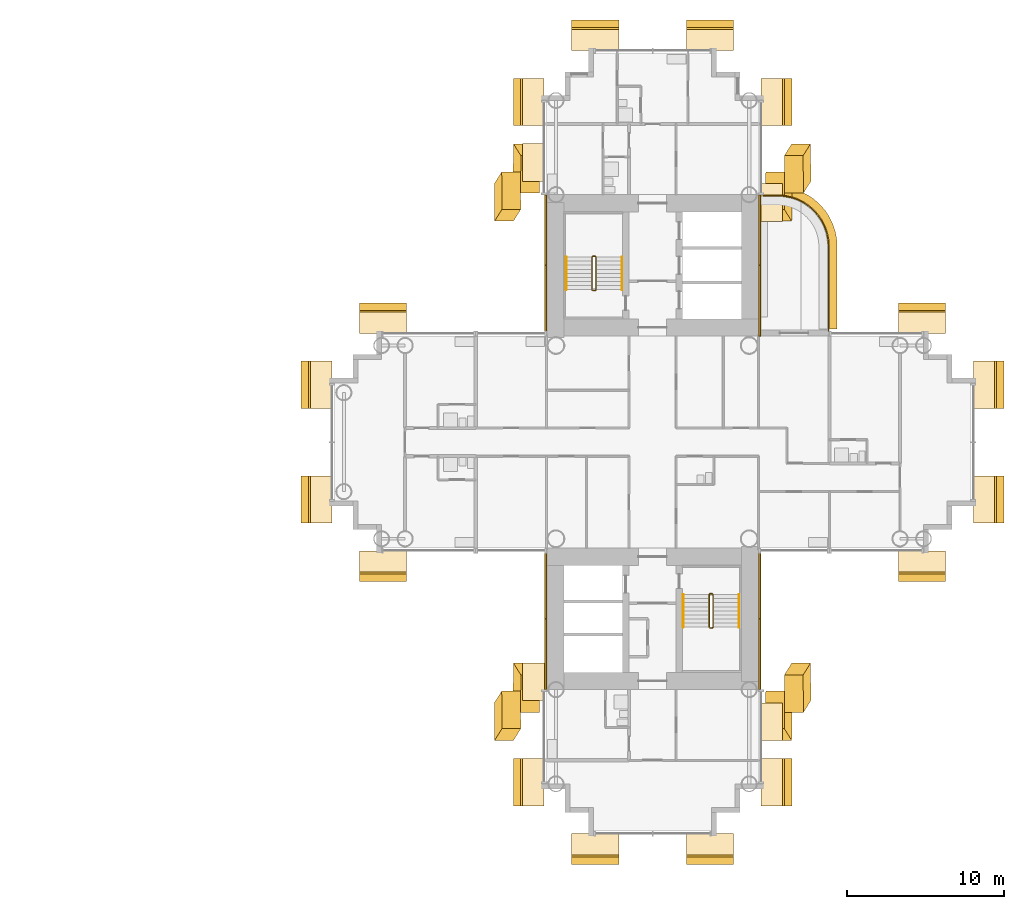
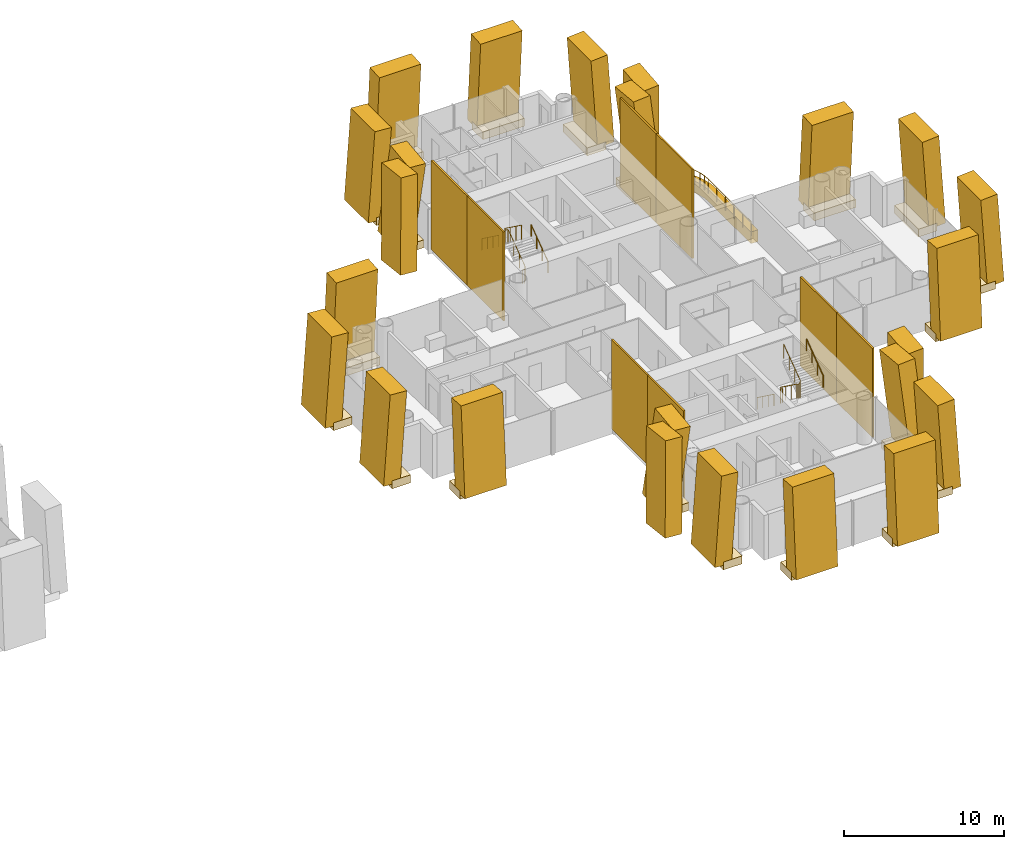
# One storey, part 23 of 24: 53 coverings, 7 railings.
"""IFC4 building model written with IfcOpenShell, lengths in metres."""

from ifc_helpers import new_model, si_unit, direction, frame, origin, origin_2d, place, context, subcontext, project, spatial, polyline, rectangle, circle, outline, extrude, material, layer, layer_set, material_profile, profile_set, type_object, element, save


model = new_model("IFC4")

# Units and contexts
model_context = context("Model", 3, precision=1e-05, world=origin(), true_north=direction((0.0, 1.0)))
body_context = subcontext(model_context, "Body", "Model", "MODEL_VIEW")
ifc_project = project(units=[si_unit("LENGTHUNIT", "METRE"), si_unit("AREAUNIT", "SQUARE_METRE"), si_unit("VOLUMEUNIT", "CUBIC_METRE"), si_unit("PLANEANGLEUNIT", "RADIAN"), si_unit("MASSUNIT", "GRAM", prefix="KILO")], contexts=[model_context])

# Site, building, storey
site_placement = place(None, origin())
site = spatial("IfcSite", under=ifc_project, at=site_placement, CompositionType="ELEMENT")
building_placement = place(site_placement, origin())
building = spatial("IfcBuilding", under=site, at=building_placement, Name="Ipe Terrace Towers", CompositionType="ELEMENT")
storey_placement = place(building_placement, frame((0.0, 0.0, 38.10009765625)))
storey = spatial("IfcBuildingStorey", under=building, at=storey_placement, Name="L09", CompositionType="ELEMENT", Elevation=38.10009765625)

# Railing
ifc_material_1 = material(Name="Stainless steel S316", Category="steel")
railing_type_1 = type_object("IfcRailingType", Name="GUARD 1100", PredefinedType="BALUSTRADE", material=ifc_material_1)
railing_1_placement = place(storey_placement, frame((47.199951171875, 7.070068359375, -0.02001953125)))
element("IfcRailing", 1, at=railing_1_placement, inside=storey, type_object=railing_type_1, Name="guard", PredefinedType="BALUSTRADE", context=body_context, shape_type="SweptSolid", body=[
    extrude(circle(Radius=0.02392578125, at=origin_2d()), frame((0.0, 0.0, 1.076171875), z_axis=(0.0, 1.0, 0.0), x_axis=(-1.0, 0.0, 0.0)), (0.0, 0.0, 1.0), 5.3779296875),
    extrude(circle(Radius=0.02392578125, at=origin_2d()), frame((0.0, 5.3779296875, 1.076171875), z_axis=(-0.065190546171, 0.997872833927, 0.0), x_axis=(-0.997872833927, -0.065190546171, 0.0)), (0.0, 0.0, 1.0), 0.427001953125),
    extrude(circle(Radius=0.02392578125, at=origin_2d()), frame((-0.02783203125, 5.803955078125, 1.076171875), z_axis=(-0.195232649896, 0.980756958892, 0.0), x_axis=(-0.980756958892, -0.195232649896, 0.0)), (0.0, 0.0, 1.0), 0.42529296875),
    extrude(circle(Radius=0.02392578125, at=origin_2d()), frame((-0.11083984375, 6.220947265625, 1.076171875), z_axis=(-0.320184280026, 0.947355280148, 0.0), x_axis=(-0.947355280148, -0.320184280026, 0.0)), (0.0, 0.0, 1.0), 0.425537109375),
    extrude(circle(Radius=0.02392578125, at=origin_2d()), frame((-0.2470703125, 6.6240234375, 1.076171875), z_axis=(-0.444455160923, 0.895801099535, 0.0), x_axis=(-0.895801099535, -0.444455160923, 0.0)), (0.0, 0.0, 1.0), 0.425048828125),
    extrude(circle(Radius=0.02392578125, at=origin_2d()), frame((-0.43603515625, 7.0048828125, 1.076171875), z_axis=(-0.55549616226, 0.83151910003, 0.0), x_axis=(-0.83151910003, -0.55549616226, 0.0)), (0.0, 0.0, 1.0), 0.424560546875),
    extrude(circle(Radius=0.02392578125, at=origin_2d()), frame((-0.671875, 7.35791015625, 1.076171875), z_axis=(-0.658463964434, 0.752612255774, 0.0), x_axis=(-0.752612255774, -0.658463964434, 0.0)), (0.0, 0.0, 1.0), 0.42529296875),
    extrude(circle(Radius=0.02392578125, at=origin_2d()), frame((-0.951904296875, 7.677978515625, 1.076171875), z_axis=(-0.752612255774, 0.658463964434, 0.0), x_axis=(-0.658463964434, -0.752612255774, 0.0)), (0.0, 0.0, 1.0), 0.42529296875),
    extrude(circle(Radius=0.02392578125, at=origin_2d()), frame((-1.27197265625, 7.9580078125, 1.076171875), z_axis=(-0.83151910003, 0.55549616226, 0.0), x_axis=(-0.55549616226, -0.83151910003, 0.0)), (0.0, 0.0, 1.0), 0.424560546875),
    extrude(circle(Radius=0.02392578125, at=origin_2d()), frame((-1.625, 8.19384765625, 1.076171875), z_axis=(-0.895801099535, 0.444455160923, 0.0), x_axis=(-0.444455160923, -0.895801099535, 0.0)), (0.0, 0.0, 1.0), 0.425048828125),
    extrude(circle(Radius=0.02392578125, at=origin_2d()), frame((-2.005859375, 8.3828125, 1.076171875), z_axis=(-0.947355280148, 0.320184280026, 0.0), x_axis=(-0.320184280026, -0.947355280148, 0.0)), (0.0, 0.0, 1.0), 0.425537109375),
    extrude(circle(Radius=0.02392578125, at=origin_2d()), frame((-2.408935546875, 8.51904296875, 1.076171875), z_axis=(-0.980756958892, 0.195232649896, 0.0), x_axis=(-0.195232649896, -0.980756958892, 0.0)), (0.0, 0.0, 1.0), 0.42529296875),
    extrude(circle(Radius=0.02392578125, at=origin_2d()), frame((-2.825927734375, 8.60205078125, 1.076171875), z_axis=(-0.997872833927, 0.065190546171, 0.0), x_axis=(-0.065190546171, -0.997872833927, 0.0)), (0.0, 0.0, 1.0), 0.427001953125),
    extrude(circle(Radius=0.02392578125, at=origin_2d()), frame((-3.251953125, 8.6298828125, 1.076171875), z_axis=(-1.0, 0.0, 0.0), x_axis=(0.0, -1.0, 0.0)), (0.0, 0.0, 1.0), 0.8779296875),
    extrude(circle(Radius=0.02099609375, at=origin_2d()), origin(), (0.0, 0.0, 1.0), 1.052001953125),
    extrude(circle(Radius=0.02099609375, at=origin_2d()), frame((0.0, 1.07568359375, 0.0)), (0.0, 0.0, 1.0), 1.052001953125),
    extrude(circle(Radius=0.02099609375, at=origin_2d()), frame((0.0, 2.151123046875, 0.0)), (0.0, 0.0, 1.0), 1.052001953125),
    extrude(circle(Radius=0.02099609375, at=origin_2d()), frame((0.0, 3.226806640625, 0.0)), (0.0, 0.0, 1.0), 1.052001953125),
    extrude(circle(Radius=0.02099609375, at=origin_2d()), frame((0.0, 4.30224609375, 0.0)), (0.0, 0.0, 1.0), 1.052001953125),
    extrude(circle(Radius=0.02099609375, at=origin_2d()), frame((0.0, 5.3779296875, 0.0)), (0.0, 0.0, 1.0), 1.052001953125),
    extrude(circle(Radius=0.02099609375, at=origin_2d()), frame((-0.02783203125, 5.803955078125, 0.0)), (0.0, 0.0, 1.0), 1.052001953125),
    extrude(circle(Radius=0.02099609375, at=origin_2d()), frame((-0.11083984375, 6.220947265625, 0.0)), (0.0, 0.0, 1.0), 1.052001953125),
    extrude(circle(Radius=0.02099609375, at=origin_2d()), frame((-0.2470703125, 6.6240234375, 0.0)), (0.0, 0.0, 1.0), 1.052001953125),
    extrude(circle(Radius=0.02099609375, at=origin_2d()), frame((-0.43603515625, 7.0048828125, 0.0)), (0.0, 0.0, 1.0), 1.052001953125),
    extrude(circle(Radius=0.02099609375, at=origin_2d()), frame((-0.671875, 7.35791015625, 0.0)), (0.0, 0.0, 1.0), 1.052001953125),
    extrude(circle(Radius=0.02099609375, at=origin_2d()), frame((-0.951904296875, 7.677978515625, 0.0)), (0.0, 0.0, 1.0), 1.052001953125),
    extrude(circle(Radius=0.02099609375, at=origin_2d()), frame((-1.27197265625, 7.9580078125, 0.0)), (0.0, 0.0, 1.0), 1.052001953125),
    extrude(circle(Radius=0.02099609375, at=origin_2d()), frame((-1.625, 8.19384765625, 0.0)), (0.0, 0.0, 1.0), 1.052001953125),
    extrude(circle(Radius=0.02099609375, at=origin_2d()), frame((-2.005859375, 8.3828125, 0.0)), (0.0, 0.0, 1.0), 1.052001953125),
    extrude(circle(Radius=0.02099609375, at=origin_2d()), frame((-2.408935546875, 8.51904296875, 0.0)), (0.0, 0.0, 1.0), 1.052001953125),
    extrude(circle(Radius=0.02099609375, at=origin_2d()), frame((-2.825927734375, 8.60205078125, 0.0)), (0.0, 0.0, 1.0), 1.052001953125),
    extrude(circle(Radius=0.02099609375, at=origin_2d()), frame((-3.251953125, 8.6298828125, 0.0)), (0.0, 0.0, 1.0), 1.052001953125),
    extrude(circle(Radius=0.02099609375, at=origin_2d()), frame((-4.1298828125, 8.6298828125, 0.0)), (0.0, 0.0, 1.0), 1.052001953125),
])

# Coverings
ifc_material_2 = material(Name="Concrete C50/60 precast, buff finish", Category="concrete")
ifc_layer_1 = layer(ifc_material_2, 0.1201171875)
ifc_layer_set_1 = layer_set([ifc_layer_1], Name="STONE CORE CLADDING 120")
covering_type_1 = type_object("IfcCoveringType", Name="STONE CORE CLADDING 120", PredefinedType="CLADDING", material=ifc_layer_set_1)
covering_1_placement = place(storey_placement, frame((29.18994140625, -13.5, 0.0), z_axis=(0.0, 0.0, 1.0), x_axis=(0.0, -1.0, 0.0)))
element("IfcCovering", 2, at=covering_1_placement, inside=storey, type_object=covering_type_1, Name="stone core cladding", PredefinedType="CLADDING", context=body_context, shape_type="SweptSolid", body=[
    extrude(rectangle(XDim=4.5009765625, YDim=0.1201171875, at=origin_2d()), origin(), (0.0, 0.0, 1.0), 6.800048828125),
])
for number, where, z_axis, x_axis, name in (
    (3, (29.18994140625, -9.0, 0.0), (0.0, 0.0, 1.0), (0.0, -1.0, 0.0), "stone core cladding"),
    (4, (29.18994140625, 9.0, 0.0), (0.0, 0.0, 1.0), (0.0, -1.0, 0.0), "stone core cladding"),
):
    element("IfcCovering", number, at=place(storey_placement, frame(where, z_axis=z_axis, x_axis=x_axis)), inside=storey, type_object=covering_type_1, Name=name, PredefinedType="CLADDING", context=body_context, shape_type="SweptSolid", body=[
        extrude(rectangle(XDim=4.5, YDim=0.1201171875, at=origin_2d()), origin(), (0.0, 0.0, 1.0), 6.800048828125),
    ])
for number, where, z_axis, x_axis, name in (
    (5, (29.18994140625, 13.5, 0.0), (0.0, 0.0, 1.0), (0.0, -1.0, 0.0), "stone core cladding"),
    (6, (42.81005859375, -13.5, 0.0), (0.0, 0.0, 1.0), (0.0, 1.0, 0.0), "stone core cladding"),
):
    element("IfcCovering", number, at=place(storey_placement, frame(where, z_axis=z_axis, x_axis=x_axis)), inside=storey, type_object=covering_type_1, Name=name, PredefinedType="CLADDING", context=body_context, shape_type="SweptSolid", body=[
        extrude(rectangle(XDim=4.5009765625, YDim=0.1201171875, at=origin_2d()), origin(), (0.0, 0.0, 1.0), 6.800048828125),
    ])
for number, where, z_axis, x_axis, name in (
    (7, (42.81005859375, -9.0, 0.0), (0.0, 0.0, 1.0), (0.0, 1.0, 0.0), "stone core cladding"),
    (8, (42.81005859375, 9.0, 0.0), (0.0, 0.0, 1.0), (0.0, 1.0, 0.0), "stone core cladding"),
):
    element("IfcCovering", number, at=place(storey_placement, frame(where, z_axis=z_axis, x_axis=x_axis)), inside=storey, type_object=covering_type_1, Name=name, PredefinedType="CLADDING", context=body_context, shape_type="SweptSolid", body=[
        extrude(rectangle(XDim=4.5, YDim=0.1201171875, at=origin_2d()), origin(), (0.0, 0.0, 1.0), 6.800048828125),
    ])
covering_2_placement = place(storey_placement, frame((42.81005859375, 13.5, 0.0), z_axis=(0.0, 0.0, 1.0), x_axis=(0.0, 1.0, 0.0)))
element("IfcCovering", 9, at=covering_2_placement, inside=storey, type_object=covering_type_1, Name="stone core cladding", PredefinedType="CLADDING", context=body_context, shape_type="SweptSolid", body=[
    extrude(rectangle(XDim=4.5009765625, YDim=0.1201171875, at=origin_2d()), origin(), (0.0, 0.0, 1.0), 6.800048828125),
])
ifc_material_3 = material(Name="Concrete C50/60 precast, buff finish", Category="concrete")
ifc_layer_2 = layer(ifc_material_3, 0.5)
ifc_layer_set_2 = layer_set([ifc_layer_2], Name="STONE EDGE BAND 500 x 900")
covering_type_2 = type_object("IfcCoveringType", Name="STONE EDGE BAND 500 x 900", PredefinedType="CLADDING", material=ifc_layer_set_2)
covering_3_placement = place(storey_placement, frame((0.0, 0.0, -0.72021484375)))
element("IfcCovering", 10, at=covering_3_placement, inside=storey, type_object=covering_type_2, Name="stone edge band", PredefinedType="CLADDING", context=body_context, shape_type="SweptSolid", body=[
    extrude(outline(polyline([(47.75, 12.449951171875), (47.7490234375, 12.48291015625), (47.720947265625, 12.9130859375), (47.7119140625, 12.97802734375), (47.6279296875, 13.402099609375), (47.611083984375, 13.465087890625), (47.471923828125, 13.8740234375), (47.447021484375, 13.93408203125), (47.256103515625, 14.321044921875), (47.22412109375, 14.3779296875), (46.98388671875, 14.737060546875), (46.944091796875, 14.7890625), (46.658935546875, 15.113037109375), (46.613037109375, 15.158935546875), (46.2890625, 15.444091796875), (46.237060546875, 15.48388671875), (45.8779296875, 15.72412109375), (45.821044921875, 15.756103515625), (45.43408203125, 15.947021484375), (45.3740234375, 15.971923828125), (44.965087890625, 16.111083984375), (44.902099609375, 16.1279296875), (44.47802734375, 16.2119140625), (44.4130859375, 16.220947265625), (43.98291015625, 16.2490234375), (43.949951171875, 16.25), (43.199951171875, 16.25), (43.199951171875, 15.75), (43.949951171875, 15.75), (44.381103515625, 15.721923828125), (44.803955078125, 15.637939453125), (45.212890625, 15.4990234375), (45.60009765625, 15.30810546875), (45.958984375, 15.068115234375), (46.282958984375, 14.782958984375), (46.568115234375, 14.458984375), (46.80810546875, 14.10009765625), (46.9990234375, 13.712890625), (47.137939453125, 13.303955078125), (47.221923828125, 12.881103515625), (47.25, 12.449951171875), (47.25, 7.199951171875), (47.75, 7.199951171875), (47.75, 12.449951171875)])), origin(), (0.0, 0.0, 1.0), 0.900146484375),
])
ifc_material_4 = material(Name="Concrete C50/60 precast, buff finish", Category="concrete")
ifc_material_profile_1 = material_profile(ifc_material_4, rectangle(XDim=2.39990234375, YDim=1.199951171875, at=origin_2d()), Name="STONE FIN 2400 x 1200")
ifc_profile_set_1 = profile_set([ifc_material_profile_1], Name="Concrete C50/60 precast, buff finish")
covering_type_3 = type_object("IfcCoveringType", Name="STONE FIN 2400 x 1200", PredefinedType="USERDEFINED", material=ifc_profile_set_1)
for number, where, z_axis, x_axis, name in (
    (11, (27.73193359375, -15.2529296875, 0.0), (0.069272330104, -0.110529591456, 0.991455774956), (-0.007703845088, -0.993872833622, -0.110260787945), "stone fin"),
    (12, (26.531982421875, -17.797119140625, 0.0), (0.069272330104, 0.110529591456, 0.991455774956), (0.007703845088, -0.993872833622, 0.110260787945), "stone fin"),
    (13, (26.531982421875, 15.2529296875, 0.0), (0.069272330104, 0.110529591456, 0.991455774956), (0.007703845088, -0.993872833622, 0.110260787945), "stone fin"),
    (14, (27.73193359375, 17.797119140625, 0.0), (0.069272330104, -0.110529591456, 0.991455774956), (-0.007703845088, -0.993872833622, -0.110260787945), "stone fin"),
    (15, (45.468017578125, -15.2529296875, 0.0), (-0.069272330104, -0.110529591456, 0.991455774956), (-0.007703845088, 0.993872833622, 0.110260787945), "stone fin"),
    (16, (44.26806640625, -17.797119140625, 0.0), (-0.069272330104, 0.110529591456, 0.991455774956), (0.007703845088, 0.993872833622, -0.110260787945), "stone fin"),
    (17, (44.26806640625, 15.2529296875, 0.0), (-0.069272330104, 0.110529591456, 0.991455774956), (0.007703845088, 0.993872833622, -0.110260787945), "stone fin"),
    (18, (45.468017578125, 17.797119140625, 0.0), (-0.069272330104, -0.110529591456, 0.991455774956), (-0.007703845088, 0.993872833622, 0.110260787945), "stone fin"),
):
    element("IfcCovering", number, at=place(storey_placement, frame(where, z_axis=z_axis, x_axis=x_axis)), inside=storey, type_object=covering_type_3, Name=name, ObjectType="FIN", PredefinedType="USERDEFINED", context=body_context, shape_type="SweptSolid", body=[
        extrude(rectangle(XDim=2.39990234375, YDim=1.199951171875, at=origin_2d()), origin(), (0.0, 0.0, 1.0), 6.8583984375),
    ])
ifc_material_5 = material(Name="Concrete C50/60 precast, buff finish", Category="concrete")
ifc_material_profile_2 = material_profile(ifc_material_5, rectangle(XDim=3.0, YDim=1.199951171875, at=origin_2d()), Name="STONE FIN CORNER 3000 x 1200")
ifc_profile_set_2 = profile_set([ifc_material_profile_2], Name="Concrete C50/60 precast, buff finish")
covering_type_4 = type_object("IfcCoveringType", Name="STONE FIN CORNER 3000 x 1200", PredefinedType="USERDEFINED", material=ifc_profile_set_2)
for number, where, z_axis, x_axis, name in (
    (19, (14.23193359375, -3.64990234375, 0.0), (0.069699389862, 0.0, 0.997568040312), (0.0, -1.0, 0.0), "stone fin"),
    (20, (14.23193359375, 3.64990234375, 0.0), (0.069699389862, 0.0, 0.997568040312), (0.0, -1.0, 0.0), "stone fin"),
    (21, (18.85009765625, -8.26806640625, 0.0), (0.0, 0.069699389862, 0.997568040312), (1.0, 0.0, 0.0), "stone fin"),
    (22, (18.85009765625, 8.26806640625, 0.0), (0.0, -0.069699389862, 0.997568040312), (-1.0, 0.0, 0.0), "stone fin"),
    (23, (27.73193359375, -21.64990234375, 0.0), (0.069699389862, 0.0, 0.997568040312), (0.0, -1.0, 0.0), "stone fin"),
    (24, (27.73193359375, 21.64990234375, 0.0), (0.069699389862, 0.0, 0.997568040312), (0.0, -1.0, 0.0), "stone fin"),
    (25, (32.35009765625, -26.26806640625, 0.0), (0.0, 0.069699389862, 0.997568040312), (1.0, 0.0, 0.0), "stone fin"),
    (26, (32.35009765625, 26.26806640625, 0.0), (0.0, -0.069699389862, 0.997568040312), (-1.0, 0.0, 0.0), "stone fin"),
    (27, (39.64990234375, -26.26806640625, 0.0), (0.0, 0.069699389862, 0.997568040312), (1.0, 0.0, 0.0), "stone fin"),
    (28, (39.64990234375, 26.26806640625, 0.0), (0.0, -0.069699389862, 0.997568040312), (-1.0, 0.0, 0.0), "stone fin"),
    (29, (44.26806640625, -21.64990234375, 0.0), (-0.069699389862, 0.0, 0.997568040312), (0.0, 1.0, 0.0), "stone fin"),
    (30, (44.26806640625, 21.64990234375, 0.0), (-0.069699389862, 0.0, 0.997568040312), (0.0, 1.0, 0.0), "stone fin"),
    (31, (53.14990234375, -8.26806640625, 0.0), (0.0, 0.069699389862, 0.997568040312), (1.0, 0.0, 0.0), "stone fin"),
    (32, (53.14990234375, 8.26806640625, 0.0), (0.0, -0.069699389862, 0.997568040312), (-1.0, 0.0, 0.0), "stone fin"),
    (33, (57.76806640625, -3.64990234375, 0.0), (-0.069699389862, 0.0, 0.997568040312), (0.0, 1.0, 0.0), "stone fin"),
    (34, (57.76806640625, 3.64990234375, 0.0), (-0.069699389862, 0.0, 0.997568040312), (0.0, 1.0, 0.0), "stone fin"),
):
    element("IfcCovering", number, at=place(storey_placement, frame(where, z_axis=z_axis, x_axis=x_axis)), inside=storey, type_object=covering_type_4, Name=name, ObjectType="FIN", PredefinedType="USERDEFINED", context=body_context, shape_type="SweptSolid", body=[
        extrude(rectangle(XDim=3.0, YDim=1.199951171875, at=origin_2d()), origin(), (0.0, 0.0, 1.0), 6.81640625),
    ])
ifc_material_6 = material(Name="Concrete C50/60 precast, buff finish", Category="concrete")
covering_type_5 = type_object("IfcCoveringType", Name="STONE FIN SHELF 2400 x 600", PredefinedType="CLADDING", material=ifc_material_6)
covering_4_placement = place(storey_placement, frame((28.43603515625, -15.2529296875, -0.35009765625), z_axis=(0.0, 0.0, 1.0), x_axis=(0.0, -1.0, 0.0)))
element("IfcCovering", 35, at=covering_4_placement, inside=storey, type_object=covering_type_5, Name="stone fin shelf", PredefinedType="CLADDING", context=body_context, shape_type="SweptSolid", body=[
    extrude(rectangle(XDim=2.39990234375, YDim=1.407958984375, at=origin_2d()), origin(), (0.0, 0.0, 1.0), 0.60009765625),
])
for number, where, z_axis, x_axis, name in (
    (36, (28.407958984375, 17.797119140625, -0.35009765625), (0.0, 0.0, 1.0), (0.0, -1.0, 0.0), "stone fin shelf"),
    (37, (43.592041015625, -17.797119140625, -0.35009765625), (0.0, 0.0, 1.0), (0.0, 1.0, 0.0), "stone fin shelf"),
):
    element("IfcCovering", number, at=place(storey_placement, frame(where, z_axis=z_axis, x_axis=x_axis)), inside=storey, type_object=covering_type_5, Name=name, PredefinedType="CLADDING", context=body_context, shape_type="SweptSolid", body=[
        extrude(rectangle(XDim=2.39990234375, YDim=1.35205078125, at=origin_2d()), origin(), (0.0, 0.0, 1.0), 0.60009765625),
    ])
covering_5_placement = place(storey_placement, frame((43.56396484375, 15.2529296875, -0.35009765625), z_axis=(0.0, 0.0, 1.0), x_axis=(0.0, 1.0, 0.0)))
element("IfcCovering", 38, at=covering_5_placement, inside=storey, type_object=covering_type_5, Name="stone fin shelf", PredefinedType="CLADDING", context=body_context, shape_type="SweptSolid", body=[
    extrude(rectangle(XDim=2.39990234375, YDim=1.407958984375, at=origin_2d()), origin(), (0.0, 0.0, 1.0), 0.60009765625),
])
ifc_material_7 = material(Name="Concrete C50/60 precast, buff finish", Category="concrete")
covering_type_6 = type_object("IfcCoveringType", Name="STONE FIN SHELF 3000 x 600", PredefinedType="CLADDING", material=ifc_material_7)
for number, where, z_axis, x_axis, name in (
    (39, (14.907958984375, -3.64990234375, -0.35009765625), (0.0, 0.0, 1.0), (0.0, -1.0, 0.0), "stone fin shelf"),
    (40, (14.907958984375, 3.64990234375, -0.35009765625), (0.0, 0.0, 1.0), (0.0, -1.0, 0.0), "stone fin shelf"),
    (41, (18.85009765625, -7.592041015625, -0.35009765625), (0.0, 0.0, 1.0), (1.0, 0.0, 0.0), "stone fin shelf"),
    (42, (18.85009765625, 7.592041015625, -0.35009765625), (0.0, 0.0, 1.0), (-1.0, 0.0, 0.0), "stone fin shelf"),
    (43, (28.407958984375, -21.64990234375, -0.35009765625), (0.0, 0.0, 1.0), (0.0, -1.0, 0.0), "stone fin shelf"),
    (44, (28.407958984375, 21.64990234375, -0.35009765625), (0.0, 0.0, 1.0), (0.0, -1.0, 0.0), "stone fin shelf"),
    (45, (32.35009765625, -25.592041015625, -0.35009765625), (0.0, 0.0, 1.0), (1.0, 0.0, 0.0), "stone fin shelf"),
    (46, (32.35009765625, 25.592041015625, -0.35009765625), (0.0, 0.0, 1.0), (-1.0, 0.0, 0.0), "stone fin shelf"),
    (47, (39.64990234375, -25.592041015625, -0.35009765625), (0.0, 0.0, 1.0), (1.0, 0.0, 0.0), "stone fin shelf"),
    (48, (39.64990234375, 25.592041015625, -0.35009765625), (0.0, 0.0, 1.0), (-1.0, 0.0, 0.0), "stone fin shelf"),
    (49, (43.592041015625, -21.64990234375, -0.35009765625), (0.0, 0.0, 1.0), (0.0, 1.0, 0.0), "stone fin shelf"),
    (50, (43.592041015625, 21.64990234375, -0.35009765625), (0.0, 0.0, 1.0), (0.0, 1.0, 0.0), "stone fin shelf"),
    (51, (53.14990234375, -7.592041015625, -0.35009765625), (0.0, 0.0, 1.0), (1.0, 0.0, 0.0), "stone fin shelf"),
    (52, (53.14990234375, 7.592041015625, -0.35009765625), (0.0, 0.0, 1.0), (-1.0, 0.0, 0.0), "stone fin shelf"),
    (53, (57.092041015625, -3.64990234375, -0.35009765625), (0.0, 0.0, 1.0), (0.0, 1.0, 0.0), "stone fin shelf"),
    (54, (57.092041015625, 3.64990234375, -0.35009765625), (0.0, 0.0, 1.0), (0.0, 1.0, 0.0), "stone fin shelf"),
):
    element("IfcCovering", number, at=place(storey_placement, frame(where, z_axis=z_axis, x_axis=x_axis)), inside=storey, type_object=covering_type_6, Name=name, PredefinedType="CLADDING", context=body_context, shape_type="SweptSolid", body=[
        extrude(rectangle(XDim=3.0, YDim=1.35205078125, at=origin_2d()), origin(), (0.0, 0.0, 1.0), 0.60009765625),
    ])

# Railings
ifc_material_8 = material(Name="Steel S355", Category="steel")
railing_type_2 = type_object("IfcRailingType", Name="Stair guard 1100", PredefinedType="GUARDRAIL", material=ifc_material_8)
railing_2_placement = place(storey_placement, frame((32.199951171875, 9.64990234375, 0.0)))
element("IfcRailing", 55, at=railing_2_placement, inside=storey, type_object=railing_type_2, Name="L09 T2-ST1 stair guard 1", PredefinedType="GUARDRAIL", context=body_context, shape_type="SweptSolid", body=[
    extrude(circle(Radius=0.02392578125, at=origin_2d()), frame((0.0, 0.0, 1.076171875), z_axis=(1.0, 0.0, 0.0), x_axis=(0.0, 1.0, 0.0)), (0.0, 0.0, 1.0), 0.150146484375),
    extrude(circle(Radius=0.02392578125, at=origin_2d()), frame((0.150146484375, 0.0, 1.076171875), z_axis=(0.247173786771, 0.248385422981, 0.936594790069), x_axis=(-0.708833529934, 0.705375805398, 0.0)), (0.0, 0.0, 1.0), 0.201416015625),
    extrude(circle(Radius=0.02392578125, at=origin_2d()), frame((0.199951171875, 0.050048828125, 1.2646484375), z_axis=(0.0, 0.809023421508, 0.587776406001), x_axis=(-1.0, 0.0, 0.0)), (0.0, 0.0, 1.0), 2.571044921875),
    extrude(circle(Radius=0.02392578125, at=origin_2d()), frame((0.199951171875, 2.130126953125, 2.77587890625), z_axis=(-0.705375805398, 0.708833529934, 0.0), x_axis=(-0.708833529934, -0.705375805398, 0.0)), (0.0, 0.0, 1.0), 0.070556640625),
    extrude(circle(Radius=0.02392578125, at=origin_2d()), frame((0.150146484375, 2.18017578125, 2.77587890625), z_axis=(-1.0, 0.0, 0.0), x_axis=(0.0, -1.0, 0.0)), (0.0, 0.0, 1.0), 0.150146484375),
    extrude(circle(Radius=0.02392578125, at=origin_2d()), frame((0.0, 2.18017578125, 2.77587890625), z_axis=(-0.248310886586, -0.248310886586, 0.936313733321), x_axis=(0.707106781187, -0.707106781187, 0.0)), (0.0, 0.0, 1.0), 0.20166015625),
    extrude(circle(Radius=0.02392578125, at=origin_2d()), frame((-0.050048828125, 2.130126953125, 2.96484375), z_axis=(0.0, -0.809023421508, 0.587776406001), x_axis=(1.0, 0.0, 0.0)), (0.0, 0.0, 1.0), 2.571044921875),
    extrude(circle(Radius=0.02099609375, at=origin_2d()), origin(), (0.0, 0.0, 1.0), 1.052001953125),
    extrude(circle(Radius=0.02099609375, at=origin_2d()), frame((0.150146484375, 0.0, 0.0)), (0.0, 0.0, 1.0), 1.052001953125),
    extrude(circle(Radius=0.02099609375, at=origin_2d()), frame((0.199951171875, 0.050048828125, 0.188720703125)), (0.0, 0.0, 1.0), 1.052001953125),
    extrude(circle(Radius=0.02099609375, at=origin_2d()), frame((0.199951171875, 0.743408203125, 0.6923828125)), (0.0, 0.0, 1.0), 1.052001953125),
    extrude(circle(Radius=0.02099609375, at=origin_2d()), frame((0.199951171875, 1.436767578125, 1.1962890625)), (0.0, 0.0, 1.0), 1.052001953125),
    extrude(circle(Radius=0.02099609375, at=origin_2d()), frame((0.199951171875, 2.130126953125, 1.699951171875)), (0.0, 0.0, 1.0), 1.052001953125),
    extrude(circle(Radius=0.02099609375, at=origin_2d()), frame((0.150146484375, 2.18017578125, 1.699951171875)), (0.0, 0.0, 1.0), 1.052001953125),
    extrude(circle(Radius=0.02099609375, at=origin_2d()), frame((0.0, 2.18017578125, 1.699951171875)), (0.0, 0.0, 1.0), 1.052001953125),
    extrude(circle(Radius=0.02099609375, at=origin_2d()), frame((-0.050048828125, 2.130126953125, 1.888671875)), (0.0, 0.0, 1.0), 1.052001953125),
    extrude(circle(Radius=0.02099609375, at=origin_2d()), frame((-0.050048828125, 1.436767578125, 2.392333984375)), (0.0, 0.0, 1.0), 1.052001953125),
    extrude(circle(Radius=0.02099609375, at=origin_2d()), frame((-0.050048828125, 0.743408203125, 2.896240234375)), (0.0, 0.0, 1.0), 1.052001953125),
    extrude(circle(Radius=0.02099609375, at=origin_2d()), frame((-0.050048828125, 0.050048828125, 3.39990234375)), (0.0, 0.0, 1.0), 1.052001953125),
])
railing_3_placement = place(storey_placement, frame((39.800048828125, -9.64990234375, 0.0)))
element("IfcRailing", 56, at=railing_3_placement, inside=storey, type_object=railing_type_2, Name="L09 T2-ST2 stair guard 1", PredefinedType="GUARDRAIL", context=body_context, shape_type="SweptSolid", body=[
    extrude(circle(Radius=0.02392578125, at=origin_2d()), frame((0.0, 0.0, 1.076171875), z_axis=(-1.0, 0.0, 0.0), x_axis=(0.0, -1.0, 0.0)), (0.0, 0.0, 1.0), 0.150146484375),
    extrude(circle(Radius=0.02392578125, at=origin_2d()), frame((-0.150146484375, 0.0, 1.076171875), z_axis=(-0.247173786771, -0.248385422981, 0.936594790069), x_axis=(0.708833529934, -0.705375805398, 0.0)), (0.0, 0.0, 1.0), 0.201416015625),
    extrude(circle(Radius=0.02392578125, at=origin_2d()), frame((-0.199951171875, -0.050048828125, 1.2646484375), z_axis=(0.0, -0.809023421508, 0.587776406001), x_axis=(1.0, 0.0, 0.0)), (0.0, 0.0, 1.0), 2.571044921875),
    extrude(circle(Radius=0.02392578125, at=origin_2d()), frame((-0.199951171875, -2.130126953125, 2.77587890625), z_axis=(0.705375805398, -0.708833529934, 0.0), x_axis=(0.708833529934, 0.705375805398, 0.0)), (0.0, 0.0, 1.0), 0.070556640625),
    extrude(circle(Radius=0.02392578125, at=origin_2d()), frame((-0.150146484375, -2.18017578125, 2.77587890625), z_axis=(1.0, 0.0, 0.0), x_axis=(0.0, 1.0, 0.0)), (0.0, 0.0, 1.0), 0.150146484375),
    extrude(circle(Radius=0.02392578125, at=origin_2d()), frame((0.0, -2.18017578125, 2.77587890625), z_axis=(0.248310886586, 0.248310886586, 0.936313733321), x_axis=(-0.707106781187, 0.707106781187, 0.0)), (0.0, 0.0, 1.0), 0.20166015625),
    extrude(circle(Radius=0.02392578125, at=origin_2d()), frame((0.050048828125, -2.130126953125, 2.96484375), z_axis=(0.0, 0.809023421508, 0.587776406001), x_axis=(-1.0, 0.0, 0.0)), (0.0, 0.0, 1.0), 2.571044921875),
    extrude(circle(Radius=0.02099609375, at=origin_2d()), origin(), (0.0, 0.0, 1.0), 1.052001953125),
    extrude(circle(Radius=0.02099609375, at=origin_2d()), frame((-0.150146484375, 0.0, 0.0)), (0.0, 0.0, 1.0), 1.052001953125),
    extrude(circle(Radius=0.02099609375, at=origin_2d()), frame((-0.199951171875, -0.050048828125, 0.188720703125)), (0.0, 0.0, 1.0), 1.052001953125),
    extrude(circle(Radius=0.02099609375, at=origin_2d()), frame((-0.199951171875, -0.743408203125, 0.6923828125)), (0.0, 0.0, 1.0), 1.052001953125),
    extrude(circle(Radius=0.02099609375, at=origin_2d()), frame((-0.199951171875, -1.436767578125, 1.1962890625)), (0.0, 0.0, 1.0), 1.052001953125),
    extrude(circle(Radius=0.02099609375, at=origin_2d()), frame((-0.199951171875, -2.130126953125, 1.699951171875)), (0.0, 0.0, 1.0), 1.052001953125),
    extrude(circle(Radius=0.02099609375, at=origin_2d()), frame((-0.150146484375, -2.18017578125, 1.699951171875)), (0.0, 0.0, 1.0), 1.052001953125),
    extrude(circle(Radius=0.02099609375, at=origin_2d()), frame((0.0, -2.18017578125, 1.699951171875)), (0.0, 0.0, 1.0), 1.052001953125),
    extrude(circle(Radius=0.02099609375, at=origin_2d()), frame((0.050048828125, -2.130126953125, 1.888671875)), (0.0, 0.0, 1.0), 1.052001953125),
    extrude(circle(Radius=0.02099609375, at=origin_2d()), frame((0.050048828125, -1.436767578125, 2.392333984375)), (0.0, 0.0, 1.0), 1.052001953125),
    extrude(circle(Radius=0.02099609375, at=origin_2d()), frame((0.050048828125, -0.743408203125, 2.896240234375)), (0.0, 0.0, 1.0), 1.052001953125),
    extrude(circle(Radius=0.02099609375, at=origin_2d()), frame((0.050048828125, -0.050048828125, 3.39990234375)), (0.0, 0.0, 1.0), 1.052001953125),
])
ifc_material_9 = material(Name="Stainless steel grade 304", Category="steel")
railing_type_3 = type_object("IfcRailingType", Name="Stair handrail 900", PredefinedType="HANDRAIL", material=ifc_material_9)
railing_4_placement = place(storey_placement, frame((34.050048828125, 9.699951171875, 0.188720703125)))
element("IfcRailing", 57, at=railing_4_placement, inside=storey, type_object=railing_type_3, Name="L09 T2-ST1 stair handrail 1", PredefinedType="HANDRAIL", context=body_context, shape_type="SweptSolid", body=[
    extrude(circle(Radius=0.02392578125, at=origin_2d()), frame((0.0, 0.0, 0.8759765625), z_axis=(0.0, 0.809023421508, 0.587776406001), x_axis=(-1.0, 0.0, 0.0)), (0.0, 0.0, 1.0), 2.571044921875),
    extrude(circle(Radius=0.02099609375, at=origin_2d()), origin(), (0.0, 0.0, 1.0), 0.851806640625),
    extrude(circle(Radius=0.02099609375, at=origin_2d()), frame((0.0, 0.693359375, 0.503662109375)), (0.0, 0.0, 1.0), 0.851806640625),
    extrude(circle(Radius=0.02099609375, at=origin_2d()), frame((0.0, 1.38671875, 1.007568359375)), (0.0, 0.0, 1.0), 0.851806640625),
    extrude(circle(Radius=0.02099609375, at=origin_2d()), frame((0.0, 2.080078125, 1.51123046875)), (0.0, 0.0, 1.0), 0.851806640625),
])
for number, where, name in (
    (58, (30.5, 11.780029296875, 1.888671875), "L09 T2-ST1 stair handrail 2"),
    (59, (37.949951171875, -9.699951171875, 0.188720703125), "L09 T2-ST2 stair handrail 1"),
):
    element("IfcRailing", number, at=place(storey_placement, frame(where)), inside=storey, type_object=railing_type_3, Name=name, PredefinedType="HANDRAIL", context=body_context, shape_type="SweptSolid", body=[
        extrude(circle(Radius=0.02392578125, at=origin_2d()), frame((0.0, 0.0, 0.8759765625), z_axis=(0.0, -0.809023421508, 0.587776406001), x_axis=(1.0, 0.0, 0.0)), (0.0, 0.0, 1.0), 2.571044921875),
        extrude(circle(Radius=0.02099609375, at=origin_2d()), origin(), (0.0, 0.0, 1.0), 0.851806640625),
        extrude(circle(Radius=0.02099609375, at=origin_2d()), frame((0.0, -0.693359375, 0.503662109375)), (0.0, 0.0, 1.0), 0.851806640625),
        extrude(circle(Radius=0.02099609375, at=origin_2d()), frame((0.0, -1.38671875, 1.007568359375)), (0.0, 0.0, 1.0), 0.851806640625),
        extrude(circle(Radius=0.02099609375, at=origin_2d()), frame((0.0, -2.080078125, 1.51123046875)), (0.0, 0.0, 1.0), 0.851806640625),
    ])
railing_5_placement = place(storey_placement, frame((41.5, -11.780029296875, 1.888671875)))
element("IfcRailing", 60, at=railing_5_placement, inside=storey, type_object=railing_type_3, Name="L09 T2-ST2 stair handrail 2", PredefinedType="HANDRAIL", context=body_context, shape_type="SweptSolid", body=[
    extrude(circle(Radius=0.02392578125, at=origin_2d()), frame((0.0, 0.0, 0.8759765625), z_axis=(0.0, 0.809023421508, 0.587776406001), x_axis=(-1.0, 0.0, 0.0)), (0.0, 0.0, 1.0), 2.571044921875),
    extrude(circle(Radius=0.02099609375, at=origin_2d()), origin(), (0.0, 0.0, 1.0), 0.851806640625),
    extrude(circle(Radius=0.02099609375, at=origin_2d()), frame((0.0, 0.693359375, 0.503662109375)), (0.0, 0.0, 1.0), 0.851806640625),
    extrude(circle(Radius=0.02099609375, at=origin_2d()), frame((0.0, 1.38671875, 1.007568359375)), (0.0, 0.0, 1.0), 0.851806640625),
    extrude(circle(Radius=0.02099609375, at=origin_2d()), frame((0.0, 2.080078125, 1.51123046875)), (0.0, 0.0, 1.0), 0.851806640625),
])

save(model, "model.ifc")
